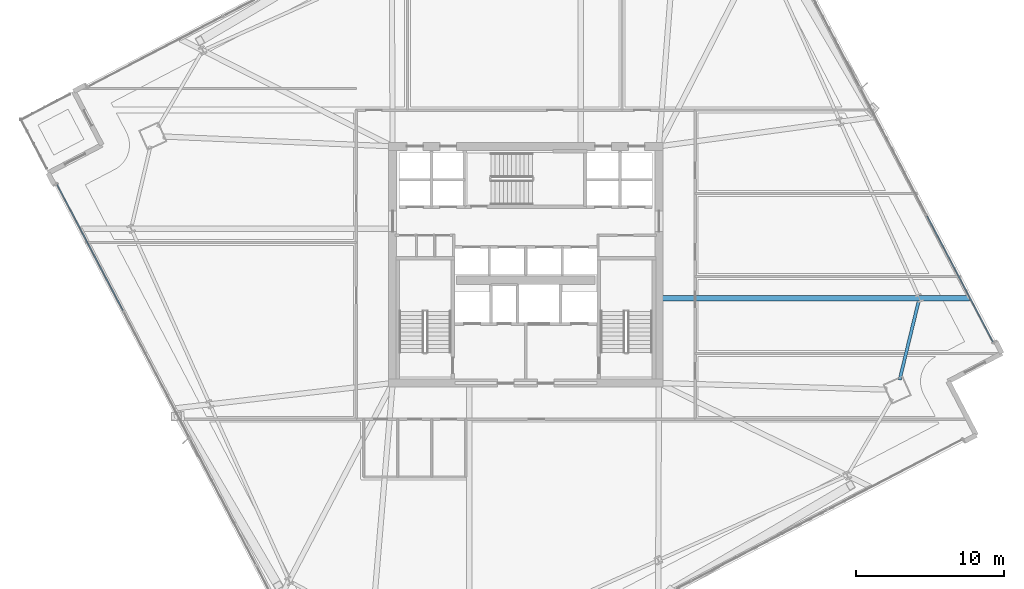
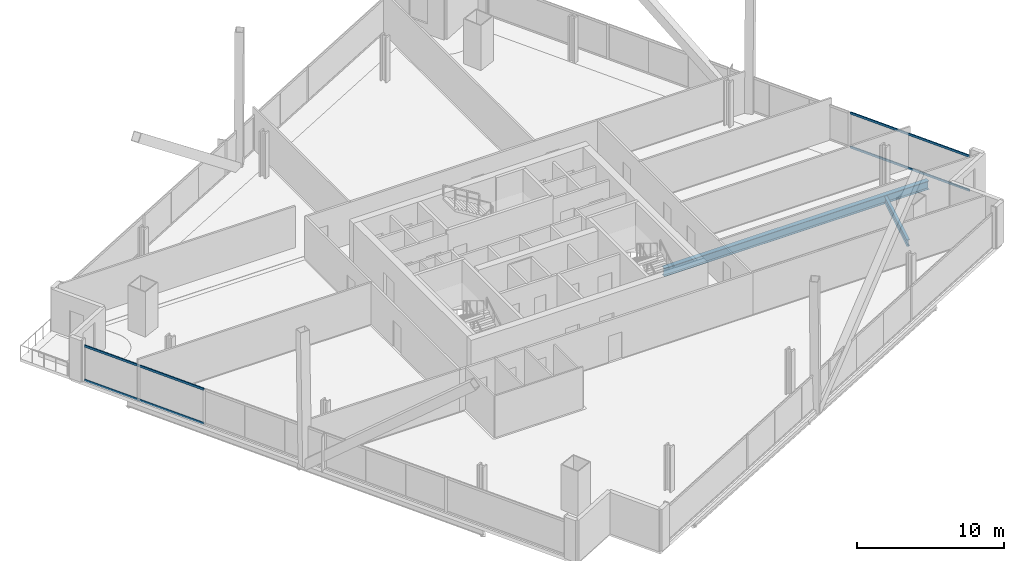
# One storey, part 12 of 33: 4 members, 2 beams, 2 elements without a shape of their own.
"""IFC4 building model written with IfcOpenShell, lengths in metres."""

from ifc_helpers import new_model, si_unit, direction, frame, origin, origin_2d, place, context, subcontext, project, spatial, hollow_rectangle, i_section, extrude, material, material_profile, profile_set, type_object, element, aggregate, save


model = new_model("IFC4")

# Units and contexts
model_context = context("Model", 3, precision=1e-05, world=origin(), true_north=direction((0.0, 1.0)))
body_context = subcontext(model_context, "Body", "Model", "MODEL_VIEW")
ifc_project = project(units=[si_unit("LENGTHUNIT", "METRE"), si_unit("AREAUNIT", "SQUARE_METRE"), si_unit("VOLUMEUNIT", "CUBIC_METRE"), si_unit("PLANEANGLEUNIT", "RADIAN"), si_unit("MASSUNIT", "GRAM", prefix="KILO")], contexts=[model_context])

# Site, building, storey
site_placement = place(None, origin())
site = spatial("IfcSite", under=ifc_project, at=site_placement, CompositionType="ELEMENT")
building_placement = place(site_placement, origin())
building = spatial("IfcBuilding", under=site, at=building_placement, Name="Haldenkirk Collegiate Tower", CompositionType="ELEMENT")
storey_placement = place(building_placement, frame((0.0, 0.0, 120.449951171875)))
storey = spatial("IfcBuildingStorey", under=building, at=storey_placement, Name="L29", CompositionType="ELEMENT", Elevation=120.449951171875)

# Beams
ifc_material_1 = material(Name="Steel ASTM A992 Grade 50", Category="steel")
ifc_material_profile_1 = material_profile(ifc_material_1, i_section(OverallWidth=0.35498046875, OverallDepth=0.696044921875, WebThickness=0.015380859375, FlangeThickness=0.02490234375, at=origin_2d()), Name="W27X146")
ifc_profile_set_1 = profile_set([ifc_material_profile_1], Name="Steel ASTM A992 Grade 50")
beam_type_1 = type_object("IfcBeamType", Name="BM-GIRDER-W27X146", PredefinedType="BEAM", material=ifc_profile_set_1)
beam_1_placement = place(storey_placement, frame((65.996337890625, 23.727294921875, -0.64794921875), z_axis=(-1.0, 0.0, 0.0), x_axis=(0.0, -1.0, 0.0)))
element("IfcBeam", 1, at=beam_1_placement, inside=storey, type_object=beam_type_1, Name="L29 primary floor girder 08", PredefinedType="BEAM", context=body_context, shape_type="SweptSolid", body=[
    extrude(i_section(OverallWidth=0.35498046875, OverallDepth=0.696044921875, WebThickness=0.015380859375, FlangeThickness=0.02490234375, at=origin_2d()), origin(), (0.0, 0.0, 1.0), 20.741455078125),
])
ifc_material_profile_2 = material_profile(ifc_material_1, i_section(OverallWidth=0.2119140625, OverallDepth=0.5439453125, WebThickness=0.01318359375, FlangeThickness=0.021240234375, at=origin_2d()), Name="W21X83")
ifc_profile_set_2 = profile_set([ifc_material_profile_2], Name="Steel ASTM A992 Grade 50")
beam_type_2 = type_object("IfcBeamType", Name="BM-SPANDREL-W21X83", PredefinedType="SPANDREL", material=ifc_profile_set_2)
beam_2_placement = place(storey_placement, frame((61.277587890625, 18.21826171875, -0.572021484375), z_axis=(0.234815122269, 0.972040049768, 0.0), x_axis=(-0.972040049768, 0.234815122269, 0.0)))
element("IfcBeam", 2, at=beam_2_placement, inside=storey, type_object=beam_type_2, Name="L29 perimeter spandrel beam 05", PredefinedType="SPANDREL", context=body_context, shape_type="SweptSolid", body=[
    extrude(i_section(OverallWidth=0.2119140625, OverallDepth=0.5439453125, WebThickness=0.01318359375, FlangeThickness=0.021240234375, at=origin_2d()), origin(), (0.0, 0.0, 1.0), 5.422119140625),
])

# Curtain wall, members
ifc_material_2 = material(Name="Anodised architectural bronze aluminium", Category="aluminium")
curtain_wall_type = type_object("IfcCurtainWallType", Name="CW-SYS1-CONVEX-LOW", PredefinedType="USERDEFINED", material=ifc_material_2)
curtain_wall_1_placement = place(storey_placement, origin())
curtain_wall_1 = element("IfcCurtainWall", 3, at=curtain_wall_1_placement, inside=storey, type_object=curtain_wall_type, Name="L29 Lower tower convex bronze-framed unitised curtain wall", ObjectType="UNITISED CURTAIN WALL", PredefinedType="USERDEFINED")
ifc_material_profile_3 = material_profile(ifc_material_2, hollow_rectangle(XDim=0.080078125, YDim=0.179931640625, WallThickness=0.0048828125, at=origin_2d()), Name="CW-TRN-1A")
ifc_profile_set_3 = profile_set([ifc_material_profile_3], Name="Anodised architectural bronze aluminium")
member_type = type_object("IfcMemberType", Name="CW-TRN-1A", PredefinedType="USERDEFINED", material=ifc_profile_set_3)
member_1_placement = place(storey_placement, frame((63.12939453125, 29.2978515625, 0.0400390625), z_axis=(0.4632968858, -0.886203134506, 0.0), x_axis=(0.886203134506, 0.4632968858, 0.0)))
member_1 = element("IfcMember", 4, at=member_1_placement, type_object=member_type, Name="CW-1A transom 4.1", ObjectType="TRANSOM", PredefinedType="USERDEFINED", context=body_context, shape_type="SweptSolid", body=[
    extrude(hollow_rectangle(XDim=0.080078125, YDim=0.179931640625, WallThickness=0.0048828125, at=origin_2d()), origin(), (0.0, 0.0, 1.0), 9.5986328125),
])
member_2_placement = place(storey_placement, frame((63.12939453125, 29.2978515625, 2.861083984375), z_axis=(0.4632968858, -0.886203134506, 0.0), x_axis=(0.886203134506, 0.4632968858, 0.0)))
member_2 = element("IfcMember", 5, at=member_2_placement, type_object=member_type, Name="CW-1A transom 4.2", ObjectType="TRANSOM", PredefinedType="USERDEFINED", context=body_context, shape_type="SweptSolid", body=[
    extrude(hollow_rectangle(XDim=0.080078125, YDim=0.179931640625, WallThickness=0.0048828125, at=origin_2d()), origin(), (0.0, 0.0, 1.0), 9.5986328125),
])
aggregate(curtain_wall_1, [member_1, member_2])

curtain_wall_2_placement = place(storey_placement, origin())
curtain_wall_2 = element("IfcCurtainWall", 6, at=curtain_wall_2_placement, inside=storey, type_object=curtain_wall_type, Name="L29 Lower tower convex bronze-framed unitised curtain wall", ObjectType="UNITISED CURTAIN WALL", PredefinedType="USERDEFINED")
member_3_placement = place(storey_placement, frame((8.7666015625, 22.9013671875, 0.0400390625), z_axis=(-0.463286443061, 0.886208593772, 0.0), x_axis=(-0.886208593772, -0.463286443061, 0.0)))
member_3 = element("IfcMember", 7, at=member_3_placement, type_object=member_type, Name="CW-1A transom 4.1", ObjectType="TRANSOM", PredefinedType="USERDEFINED", context=body_context, shape_type="SweptSolid", body=[
    extrude(hollow_rectangle(XDim=0.080078125, YDim=0.179931640625, WallThickness=0.0048828125, at=origin_2d()), origin(), (0.0, 0.0, 1.0), 9.598876953125),
])
member_4_placement = place(storey_placement, frame((8.7666015625, 22.9013671875, 2.861083984375), z_axis=(-0.463286443061, 0.886208593772, 0.0), x_axis=(-0.886208593772, -0.463286443061, 0.0)))
member_4 = element("IfcMember", 8, at=member_4_placement, type_object=member_type, Name="CW-1A transom 4.2", ObjectType="TRANSOM", PredefinedType="USERDEFINED", context=body_context, shape_type="SweptSolid", body=[
    extrude(hollow_rectangle(XDim=0.080078125, YDim=0.179931640625, WallThickness=0.0048828125, at=origin_2d()), origin(), (0.0, 0.0, 1.0), 9.598876953125),
])
aggregate(curtain_wall_2, [member_3, member_4])

save(model, "model.ifc")
